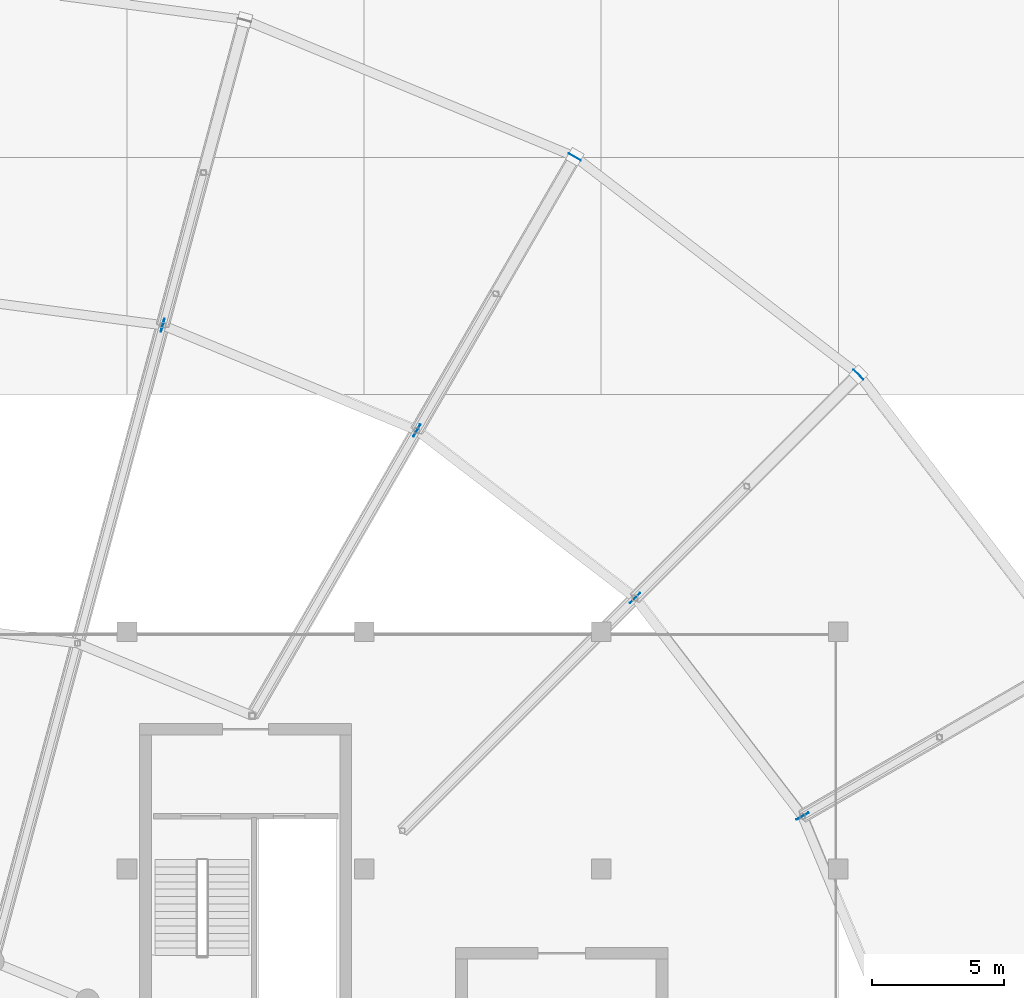
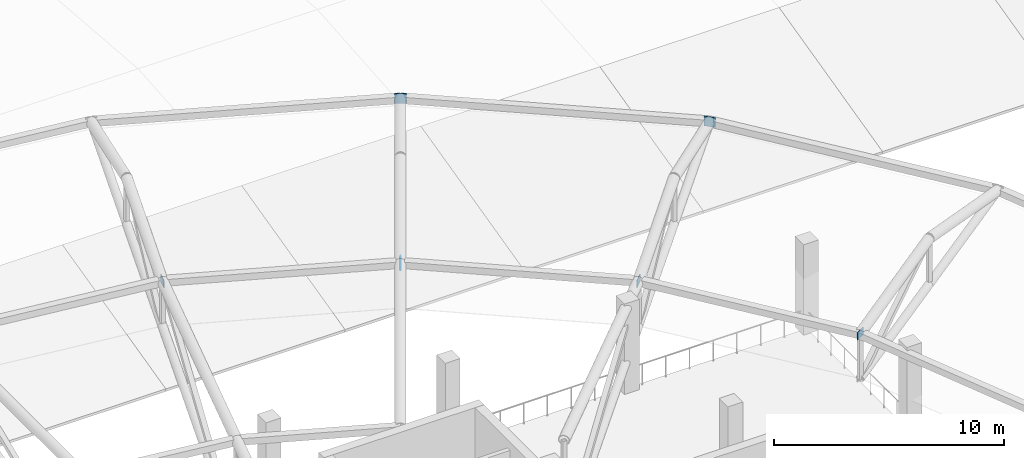
# One storey, part 133 of 167: 6 plates.
"""IFC4 building model written with IfcOpenShell, lengths in metres."""

from ifc_helpers import new_model, si_unit, direction, frame, origin, origin_2d, place, context, subcontext, project, spatial, rectangle, extrude, material, layer, layer_set, type_object, element, save


model = new_model("IFC4")

# Units and contexts
model_context = context("Model", 3, precision=1e-05, world=origin(), true_north=direction((0.0, 1.0)))
body_context = subcontext(model_context, "Body", "Model", "MODEL_VIEW")
ifc_project = project(units=[si_unit("LENGTHUNIT", "METRE"), si_unit("AREAUNIT", "SQUARE_METRE"), si_unit("VOLUMEUNIT", "CUBIC_METRE"), si_unit("PLANEANGLEUNIT", "RADIAN"), si_unit("MASSUNIT", "GRAM", prefix="KILO")], contexts=[model_context])

# Site, building, storey
site_placement = place(None, origin())
site = spatial("IfcSite", under=ifc_project, at=site_placement, CompositionType="ELEMENT")
building_placement = place(site_placement, origin())
building = spatial("IfcBuilding", under=site, at=building_placement, Name="Dornveld Trade and Exhibition Forum", CompositionType="ELEMENT")
storey_placement = place(building_placement, frame((0.0, 0.0, 16.800048828125)))
storey = spatial("IfcBuildingStorey", under=building, at=storey_placement, Name="L03", CompositionType="ELEMENT", Elevation=16.800048828125)

# Plates
ifc_material_1 = material(Name="Steel S355J2", Category="steel")
ifc_layer_1 = layer(ifc_material_1, 0.02001953125)
ifc_layer_set_1 = layer_set([ifc_layer_1], Name="Steel S355J2")
plate_type_1 = type_object("IfcPlateType", Name="PL-CAP-520x20", PredefinedType="SHEET", material=ifc_layer_set_1)
for number, where, z_axis, x_axis, name in (
    (1, (153.761962890625, 117.761962890625, 4.5400390625), (0.0, 0.0, 1.0), (0.707106781187, 0.707106781187, 0.0), "Floating roof disc radial tip cap plate 4"),
    (2, (142.9951171875, 126.02490234375, 4.5400390625), (0.0, 0.0, 1.0), (0.5, 0.866025403784, 0.0), "Floating roof disc radial tip cap plate 5"),
):
    element("IfcPlate", number, at=place(storey_placement, frame(where, z_axis=z_axis, x_axis=x_axis)), inside=storey, type_object=plate_type_1, Name=name, PredefinedType="SHEET", context=body_context, shape_type="SweptSolid", body=[
        extrude(rectangle(XDim=0.02001953125, YDim=0.52001953125, at=origin_2d()), origin(), (0.0, 0.0, 1.0), 0.52001953125),
    ])
ifc_material_2 = material(Name="Steel S355J2", Category="steel")
ifc_layer_2 = layer(ifc_material_2, 0.02392578125)
ifc_layer_set_2 = layer_set([ifc_layer_2], Name="Steel S355J2")
plate_type_2 = type_object("IfcPlateType", Name="PL-NODE-03", PredefinedType="USERDEFINED", material=ifc_layer_set_2)
plate_1_placement = place(storey_placement, frame((151.64111328125, 101.0, 4.25), z_axis=(0.0, 0.0, 1.0), x_axis=(0.866025403784, 0.5, 0.0)))
element("IfcPlate", 3, at=plate_1_placement, inside=storey, type_object=plate_type_2, Name="Floating disc core-ring gusset 3", ObjectType="GUSSET", PredefinedType="USERDEFINED", context=body_context, shape_type="SweptSolid", body=[
    extrude(rectangle(XDim=0.52001953125, YDim=0.028076171875, at=origin_2d()), origin(), (0.0, 0.0, 1.0), 0.39990234375),
])
ifc_material_3 = material(Name="Steel S355J2", Category="steel")
ifc_layer_3 = layer(ifc_material_3, 0.02197265625)
ifc_layer_set_3 = layer_set([ifc_layer_3], Name="Steel S355J2")
plate_type_3 = type_object("IfcPlateType", Name="PL-NODE-04", PredefinedType="USERDEFINED", material=ifc_layer_set_3)
plate_2_placement = place(storey_placement, frame((145.2841796875, 109.2841796875, 4.25), z_axis=(0.0, 0.0, 1.0), x_axis=(0.707106781187, 0.707106781187, 0.0)))
element("IfcPlate", 4, at=plate_2_placement, inside=storey, type_object=plate_type_3, Name="Floating disc core-ring gusset 4", ObjectType="GUSSET", PredefinedType="USERDEFINED", context=body_context, shape_type="SweptSolid", body=[
    extrude(rectangle(XDim=0.52001953125, YDim=0.028076171875, at=origin_2d()), origin(), (0.0, 0.0, 1.0), 0.39990234375),
])
ifc_material_4 = material(Name="Steel S355J2", Category="steel")
ifc_layer_4 = layer(ifc_material_4, 0.02001953125)
ifc_layer_set_4 = layer_set([ifc_layer_4], Name="Steel S355J2")
plate_type_4 = type_object("IfcPlateType", Name="PL-NODE-05", PredefinedType="USERDEFINED", material=ifc_layer_set_4)
plate_3_placement = place(storey_placement, frame((137.0, 115.64111328125, 4.25), z_axis=(0.0, 0.0, 1.0), x_axis=(0.5, 0.866025403784, 0.0)))
element("IfcPlate", 5, at=plate_3_placement, inside=storey, type_object=plate_type_4, Name="Floating disc core-ring gusset 5", ObjectType="GUSSET", PredefinedType="USERDEFINED", context=body_context, shape_type="SweptSolid", body=[
    extrude(rectangle(XDim=0.52001953125, YDim=0.028076171875, at=origin_2d()), origin(), (0.0, 0.0, 1.0), 0.39990234375),
])
ifc_material_5 = material(Name="Steel S355J2", Category="steel")
ifc_layer_5 = layer(ifc_material_5, 0.01806640625)
ifc_layer_set_5 = layer_set([ifc_layer_5], Name="Steel S355J2")
plate_type_5 = type_object("IfcPlateType", Name="PL-NODE-06", PredefinedType="USERDEFINED", material=ifc_layer_set_5)
plate_4_placement = place(storey_placement, frame((127.352783203125, 119.636962890625, 4.25), z_axis=(0.0, 0.0, 1.0), x_axis=(0.258819045103, 0.965925826289, 0.0)))
element("IfcPlate", 6, at=plate_4_placement, inside=storey, type_object=plate_type_5, Name="Floating disc core-ring gusset 6", ObjectType="GUSSET", PredefinedType="USERDEFINED", context=body_context, shape_type="SweptSolid", body=[
    extrude(rectangle(XDim=0.52001953125, YDim=0.028076171875, at=origin_2d()), origin(), (0.0, 0.0, 1.0), 0.39990234375),
])

save(model, "model.ifc")
